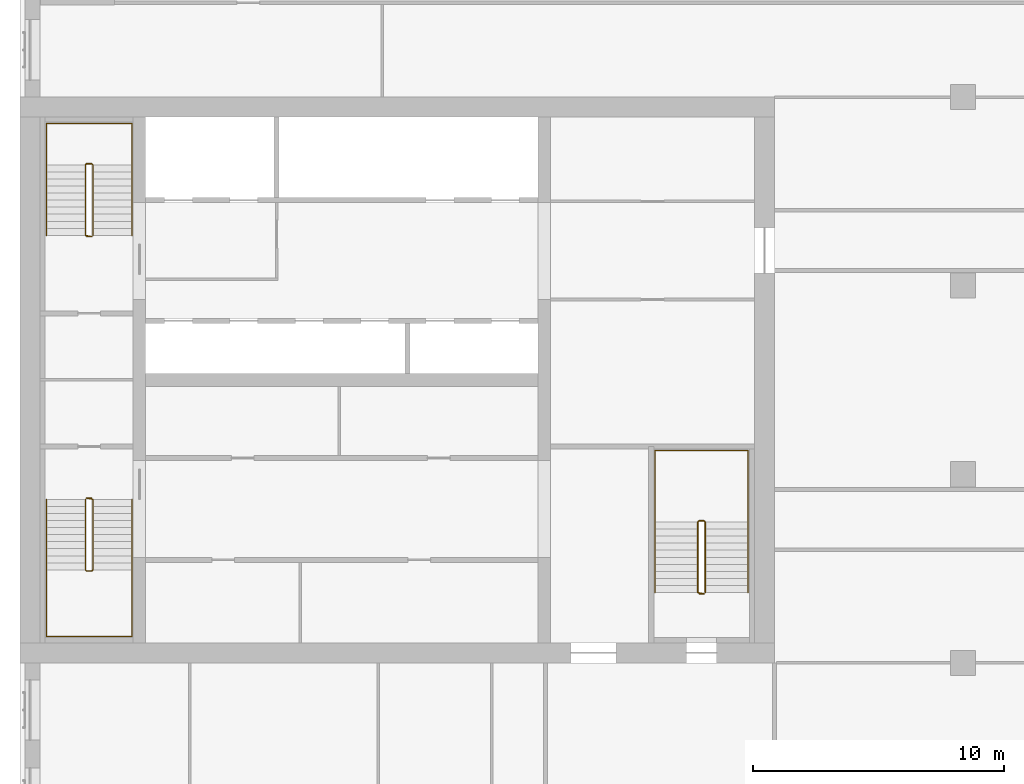
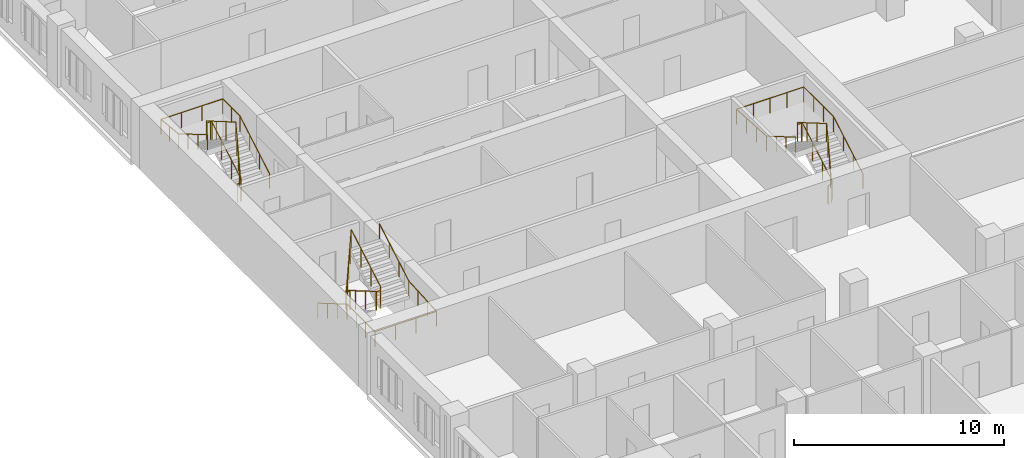
# One storey, part 14 of 14: 6 railings.
"""IFC4 building model written with IfcOpenShell, lengths in metres."""

import ifcopenshell
import ifcopenshell.guid

model = None  # the IFC model being written
_history = None  # IfcOwnerHistory: only IFC2X3 demands one
_inside = {}  # id of a spatial element -> (the spatial element, [elements in it])
_under = {}  # id of a project, library or spatial element -> (it, [spatial elements below it])
_declared = {}  # id of a project -> (the project, [libraries it declares])
_typed = {}  # id of a type object -> (the type object, [elements of that type])
_made_of = {}  # id of a material, layer set ... -> (it, [elements and type objects made of it])


def new_model(schema):
    """Start an empty IFC model of exactly this schema.

    Asked for "IFC4X3", IfcOpenShell would pick the latest addendum, in which some entities
    have other attributes; the version numbers below select the first issue.
    IFC2X3 requires an IfcOwnerHistory on every rooted entity: one is made here for all.
    """
    global model, _history
    if schema == "IFC4X3":
        model = ifcopenshell.file(schema_version=(4, 3, 0, 0))
    else:
        model = ifcopenshell.file(schema=schema)
    _inside.clear()
    _under.clear()
    _declared.clear()
    _typed.clear()
    _made_of.clear()
    _history = None
    if model.schema == "IFC2X3":
        org = make("IfcOrganization", Name="unknown")
        user = make(
            "IfcPersonAndOrganization",
            ThePerson=make("IfcPerson", FamilyName="unknown"),
            TheOrganization=org,
        )
        app = make(
            "IfcApplication",
            ApplicationDeveloper=org,
            Version="unknown",
            ApplicationFullName="unknown",
            ApplicationIdentifier="unknown",
        )
        _history = make(
            "IfcOwnerHistory",
            OwningUser=user,
            OwningApplication=app,
            ChangeAction="ADDED",
            CreationDate=0,
        )
    return model


def make(cls, **values):
    """One entity of the class cls with the attributes given. An attribute that is None is left unset."""
    return model.create_entity(
        cls, **{name: value for name, value in values.items() if value is not None}
    )


def rooted(cls, **values):
    """An entity with a GlobalId (a new one), such as an element, a storey or a relation."""
    return make(cls, GlobalId=ifcopenshell.guid.new(), OwnerHistory=_history, **values)


def si_unit(unit_type, name, prefix=None):
    """IfcSIUnit, for example si_unit("LENGTHUNIT", "METRE", prefix="MILLI")."""
    return make("IfcSIUnit", UnitType=unit_type, Prefix=prefix, Name=name)


def assignment(units):
    """IfcUnitAssignment: the units of a project."""
    return None if units is None else make("IfcUnitAssignment", Units=units)


def point(xyz):
    """IfcCartesianPoint."""
    return None if xyz is None else make("IfcCartesianPoint", Coordinates=xyz)


def direction(xyz):
    """IfcDirection."""
    return None if xyz is None else make("IfcDirection", DirectionRatios=xyz)


def frame(location, z_axis=None, x_axis=None):
    """IfcAxis2Placement3D, a coordinate frame: its origin and axes. An axis left out is left unset."""
    return make(
        "IfcAxis2Placement3D",
        Location=point(location),
        Axis=direction(z_axis),
        RefDirection=direction(x_axis),
    )


def frame_2d(location, x_axis=None):
    """IfcAxis2Placement2D, a coordinate frame in the plane: its origin and x axis."""
    return make(
        "IfcAxis2Placement2D", Location=point(location), RefDirection=direction(x_axis)
    )


def origin():
    """The frame at (0, 0, 0) with its axes left unset."""
    return frame((0.0, 0.0, 0.0))


def origin_2d():
    """The frame at (0, 0) in the plane with its x axis left unset."""
    return frame_2d((0.0, 0.0))


def place(relative_to, where):
    """IfcLocalPlacement: puts the frame where relative to a parent placement (None: the world)."""
    return make(
        "IfcLocalPlacement", PlacementRelTo=relative_to, RelativePlacement=where
    )


def context(
    kind, dimensions, precision=None, world=None, true_north=None, identifier=None
):
    """IfcGeometricRepresentationContext, for example the 3D "Model" context."""
    return make(
        "IfcGeometricRepresentationContext",
        ContextIdentifier=identifier,
        ContextType=kind,
        CoordinateSpaceDimension=dimensions,
        Precision=precision,
        WorldCoordinateSystem=world,
        TrueNorth=true_north,
    )


def subcontext(parent, identifier, kind, view, scale=None):
    """IfcGeometricRepresentationSubContext, for example "Body" below "Model"."""
    return make(
        "IfcGeometricRepresentationSubContext",
        ContextIdentifier=identifier,
        ContextType=kind,
        ParentContext=parent,
        TargetScale=scale,
        TargetView=view,
    )


def project(units=None, contexts=None):
    """IfcProject with its units and contexts."""
    return rooted(
        "IfcProject",
        Name="project",
        RepresentationContexts=contexts,
        UnitsInContext=assignment(units),
    )


def spatial(cls, under=None, at=None, **own):
    """A site, building, storey or space (cls), placed at a placement, below another one or the project."""
    s = rooted(cls, ObjectPlacement=at, **own)
    if under is not None:
        _under.setdefault(under.id(), (under, []))[1].append(s)
    return s


def profile(cls, at=None, kind="AREA", **sizes):
    """A parametric profile (cls). Its sizes go by their IFC names, for example OverallWidth=200.0."""
    return make(cls, ProfileType=kind, Position=at, **sizes)


def circle(**sizes):
    """IfcCircleProfileDef."""
    return profile("IfcCircleProfileDef", **sizes)


def extrude(swept, where, along, depth):
    """IfcExtrudedAreaSolid: the profile swept, set in the frame where, extruded along a direction by depth."""
    return make(
        "IfcExtrudedAreaSolid",
        SweptArea=swept,
        Position=where,
        ExtrudedDirection=direction(along),
        Depth=depth,
    )


def shape(context_of_items, identifier, shape_type, items):
    """IfcShapeRepresentation: the items that make up one representation, for example the "Body"."""
    return make(
        "IfcShapeRepresentation",
        ContextOfItems=context_of_items,
        RepresentationIdentifier=identifier,
        RepresentationType=shape_type,
        Items=items,
    )


def material(Name=None, Category=None):
    """IfcMaterial."""
    return make("IfcMaterial", Name=Name, Category=Category)


def made_of(thing, what):
    """Note that an element or type object is made of a material, layer set ...; save() writes the relation."""
    if what is not None:
        _made_of.setdefault(what.id(), (what, []))[1].append(thing)
    return thing


def type_object(cls, material=None, **own):
    """A type object (cls), such as IfcWallType, which elements share."""
    return made_of(rooted(cls, **own), material)


def element(
    cls,
    number,
    at=None,
    inside=None,
    cuts=None,
    type_object=None,
    material=None,
    context=None,
    identifier="Body",
    shape_type=None,
    held_by="IfcProductDefinitionShape",
    body=None,
    shapes=None,
    **own,
):
    """One element of the class cls, such as IfcWall. Its Tag is "e" and its number.

    at: its placement. inside: the storey or other place that contains it. cuts: it is an
    opening in that element (IfcRelVoidsElement). A single representation is given by context,
    identifier, shape_type and body (its items); several are given by shapes. held_by: the class
    of the entity that holds the representations. save() writes the other relations.
    """
    e = rooted(cls, Tag="e%d" % number, ObjectPlacement=at, **own)
    if body is not None:
        shapes = [shape(context, identifier, shape_type, body)]
    if shapes is not None:
        e.Representation = make(held_by, Representations=shapes)
    if inside is not None:
        _inside.setdefault(inside.id(), (inside, []))[1].append(e)
    if cuts is not None:
        rooted(
            "IfcRelVoidsElement", RelatingBuildingElement=cuts, RelatedOpeningElement=e
        )
    if type_object is not None:
        _typed.setdefault(type_object.id(), (type_object, []))[1].append(e)
    return made_of(e, material)


def aggregate(whole, parts):
    """IfcRelAggregates: a whole, such as a stair, and the parts it consists of."""
    return rooted("IfcRelAggregates", RelatingObject=whole, RelatedObjects=parts)


def save(model, path):
    """Write the relations noted so far, then the file.

    IfcRelAggregates (storeys below a building ...), IfcRelContainedInSpatialStructure (elements
    in a storey), IfcRelDefinesByType, IfcRelAssociatesMaterial and IfcRelDeclares: one each for
    every whole, place, type object, material and project.
    """
    for whole, parts in _under.values():
        aggregate(whole, parts)
    for where, things in _inside.values():
        rooted(
            "IfcRelContainedInSpatialStructure",
            RelatedElements=things,
            RelatingStructure=where,
        )
    for kind, things in _typed.values():
        rooted("IfcRelDefinesByType", RelatedObjects=things, RelatingType=kind)
    for what, things in _made_of.values():
        rooted("IfcRelAssociatesMaterial", RelatedObjects=things, RelatingMaterial=what)
    for by, libraries in _declared.values():
        rooted("IfcRelDeclares", RelatingContext=by, RelatedDefinitions=libraries)
    model.write(path)


model = new_model("IFC4")

# Units and contexts
model_context = context("Model", 3, precision=1e-05, world=origin(), true_north=direction((0.0, 1.0)))
body_context = subcontext(model_context, "Body", "Model", "MODEL_VIEW")
ifc_project = project(units=[si_unit("LENGTHUNIT", "METRE"), si_unit("AREAUNIT", "SQUARE_METRE"), si_unit("VOLUMEUNIT", "CUBIC_METRE"), si_unit("PLANEANGLEUNIT", "RADIAN"), si_unit("MASSUNIT", "GRAM", prefix="KILO")], contexts=[model_context])

# Site, building, storey
site_placement = place(None, origin())
site = spatial("IfcSite", under=ifc_project, at=site_placement, CompositionType="ELEMENT")
building_placement = place(site_placement, origin())
building = spatial("IfcBuilding", under=site, at=building_placement, Name="Tamorin Gate", CompositionType="ELEMENT")
storey_placement = place(building_placement, frame((0.0, 0.0, 151.800048828125)))
storey = spatial("IfcBuildingStorey", under=building, at=storey_placement, Name="L37", CompositionType="ELEMENT", Elevation=151.800048828125)

# Railings
ifc_material_1 = material(Name="Painted steel balustrade", Category="steel")
railing_type_1 = type_object("IfcRailingType", Name="Stair guard 1100", PredefinedType="GUARDRAIL", material=ifc_material_1)
railing_1_placement = place(storey_placement, frame((32.60009765625, 66.5, 0.16357421875)))
element("IfcRailing", 1, at=railing_1_placement, inside=storey, type_object=railing_type_1, Name="L37 ST1 stair guard 1", PredefinedType="GUARDRAIL", context=body_context, shape_type="SweptSolid", body=[
    extrude(circle(Radius=0.02392578125, at=origin_2d()), frame((0.0, 0.0, 1.076171875), z_axis=(0.0, -0.863360870873, 0.504586966384), x_axis=(1.0, 0.0, 0.0)), (0.0, 0.0, 1.0), 3.2431640625),
    extrude(circle(Radius=0.02392578125, at=origin_2d()), frame((0.0, -2.800048828125, 2.71240234375), z_axis=(0.705375805398, -0.708833529934, 0.0), x_axis=(0.708833529934, 0.705375805398, 0.0)), (0.0, 0.0, 1.0), 0.070556640625),
    extrude(circle(Radius=0.02392578125, at=origin_2d()), frame((0.0498046875, -2.85009765625, 2.71240234375), z_axis=(1.0, 0.0, 0.0), x_axis=(0.0, 1.0, 0.0)), (0.0, 0.0, 1.0), 0.2001953125),
    extrude(circle(Radius=0.02392578125, at=origin_2d()), frame((0.25, -2.85009765625, 2.71240234375), z_axis=(0.279546231943, 0.280916556609, 0.91811752648), x_axis=(-0.708833529934, 0.705375805398, 0.0)), (0.0, 0.0, 1.0), 0.17822265625),
    extrude(circle(Radius=0.02392578125, at=origin_2d()), frame((0.2998046875, -2.800048828125, 2.8759765625), z_axis=(0.0, 0.863393664356, 0.504530851732), x_axis=(-1.0, 0.0, 0.0)), (0.0, 0.0, 1.0), 3.2431640625),
    extrude(circle(Radius=0.02392578125, at=origin_2d()), frame((0.2998046875, 0.0, 4.51220703125), z_axis=(-0.069273741535, 0.013868278335, -0.997501288014), x_axis=(-0.196300278283, -0.98054382908, 0.0)), (0.0, 0.0, 1.0), 3.60888671875),
    extrude(circle(Radius=0.02392578125, at=origin_2d()), frame((0.0498046875, 0.050048828125, 0.91259765625), z_axis=(1.0, 0.0, 0.0), x_axis=(0.0, 1.0, 0.0)), (0.0, 0.0, 1.0), 0.2001953125),
    extrude(circle(Radius=0.02099609375, at=origin_2d()), origin(), (0.0, 0.0, 1.0), 1.052001953125),
    extrude(circle(Radius=0.02099609375, at=origin_2d()), frame((0.0, -0.933349609375, 0.54541015625)), (0.0, 0.0, 1.0), 1.052001953125),
    extrude(circle(Radius=0.02099609375, at=origin_2d()), frame((0.0, -1.86669921875, 1.091064453125)), (0.0, 0.0, 1.0), 1.052001953125),
    extrude(circle(Radius=0.02099609375, at=origin_2d()), frame((0.0, -2.800048828125, 1.636474609375)), (0.0, 0.0, 1.0), 1.052001953125),
    extrude(circle(Radius=0.02099609375, at=origin_2d()), frame((0.0498046875, -2.85009765625, 1.636474609375)), (0.0, 0.0, 1.0), 1.052001953125),
    extrude(circle(Radius=0.02099609375, at=origin_2d()), frame((0.25, -2.85009765625, 1.636474609375)), (0.0, 0.0, 1.0), 1.052001953125),
    extrude(circle(Radius=0.02099609375, at=origin_2d()), frame((0.2998046875, -2.800048828125, 1.800048828125)), (0.0, 0.0, 1.0), 1.052001953125),
    extrude(circle(Radius=0.02099609375, at=origin_2d()), frame((0.2998046875, -1.86669921875, 2.345458984375)), (0.0, 0.0, 1.0), 1.052001953125),
    extrude(circle(Radius=0.02099609375, at=origin_2d()), frame((0.2998046875, -0.933349609375, 2.890869140625)), (0.0, 0.0, 1.0), 1.052001953125),
    extrude(circle(Radius=0.02099609375, at=origin_2d()), frame((0.2998046875, 0.0, 3.436279296875)), (0.0, 0.0, 1.0), 1.052001953125),
    extrude(circle(Radius=0.02099609375, at=origin_2d()), frame((0.2373046875, 0.012451171875, 2.536376953125)), (0.0, 0.0, 1.0), 1.052001953125),
    extrude(circle(Radius=0.02099609375, at=origin_2d()), frame((0.1748046875, 0.02490234375, 1.63623046875)), (0.0, 0.0, 1.0), 1.052001953125),
    extrude(circle(Radius=0.02099609375, at=origin_2d()), frame((0.1123046875, 0.03759765625, 0.736328125)), (0.0, 0.0, 1.0), 1.052001953125),
    extrude(circle(Radius=0.02099609375, at=origin_2d()), frame((0.0498046875, 0.050048828125, -0.16357421875)), (0.0, 0.0, 1.0), 1.052001953125),
    extrude(circle(Radius=0.02099609375, at=origin_2d()), frame((0.25, 0.050048828125, -0.16357421875)), (0.0, 0.0, 1.0), 1.052001953125),
])
railing_2_placement = place(storey_placement, frame((32.89990234375, 77.0, 0.16357421875)))
element("IfcRailing", 2, at=railing_2_placement, inside=storey, type_object=railing_type_1, Name="L37 ST2 stair guard 1", PredefinedType="GUARDRAIL", context=body_context, shape_type="SweptSolid", body=[
    extrude(circle(Radius=0.02392578125, at=origin_2d()), frame((0.0, 0.0, 1.076171875), z_axis=(0.0, 0.863360870873, 0.504586966384), x_axis=(-1.0, 0.0, 0.0)), (0.0, 0.0, 1.0), 3.2431640625),
    extrude(circle(Radius=0.02392578125, at=origin_2d()), frame((0.0, 2.800048828125, 2.71240234375), z_axis=(-0.705375805398, 0.708833529934, 0.0), x_axis=(-0.708833529934, -0.705375805398, 0.0)), (0.0, 0.0, 1.0), 0.070556640625),
    extrude(circle(Radius=0.02392578125, at=origin_2d()), frame((-0.0498046875, 2.85009765625, 2.71240234375), z_axis=(-1.0, 0.0, 0.0), x_axis=(0.0, -1.0, 0.0)), (0.0, 0.0, 1.0), 0.2001953125),
    extrude(circle(Radius=0.02392578125, at=origin_2d()), frame((-0.25, 2.85009765625, 2.71240234375), z_axis=(-0.279546231943, -0.280916556609, 0.91811752648), x_axis=(0.708833529934, -0.705375805398, 0.0)), (0.0, 0.0, 1.0), 0.17822265625),
    extrude(circle(Radius=0.02392578125, at=origin_2d()), frame((-0.2998046875, 2.800048828125, 2.8759765625), z_axis=(0.0, -0.863393664356, 0.504530851732), x_axis=(1.0, 0.0, 0.0)), (0.0, 0.0, 1.0), 3.2431640625),
    extrude(circle(Radius=0.02392578125, at=origin_2d()), frame((-0.2998046875, 0.0, 4.51220703125), z_axis=(0.069273741535, -0.013868278335, -0.997501288014), x_axis=(0.196300278283, 0.98054382908, 0.0)), (0.0, 0.0, 1.0), 3.60888671875),
    extrude(circle(Radius=0.02392578125, at=origin_2d()), frame((-0.0498046875, -0.050048828125, 0.91259765625), z_axis=(-1.0, 0.0, 0.0), x_axis=(0.0, -1.0, 0.0)), (0.0, 0.0, 1.0), 0.2001953125),
    extrude(circle(Radius=0.02099609375, at=origin_2d()), origin(), (0.0, 0.0, 1.0), 1.052001953125),
    extrude(circle(Radius=0.02099609375, at=origin_2d()), frame((0.0, 0.933349609375, 0.54541015625)), (0.0, 0.0, 1.0), 1.052001953125),
    extrude(circle(Radius=0.02099609375, at=origin_2d()), frame((0.0, 1.86669921875, 1.091064453125)), (0.0, 0.0, 1.0), 1.052001953125),
    extrude(circle(Radius=0.02099609375, at=origin_2d()), frame((0.0, 2.800048828125, 1.636474609375)), (0.0, 0.0, 1.0), 1.052001953125),
    extrude(circle(Radius=0.02099609375, at=origin_2d()), frame((-0.0498046875, 2.85009765625, 1.636474609375)), (0.0, 0.0, 1.0), 1.052001953125),
    extrude(circle(Radius=0.02099609375, at=origin_2d()), frame((-0.25, 2.85009765625, 1.636474609375)), (0.0, 0.0, 1.0), 1.052001953125),
    extrude(circle(Radius=0.02099609375, at=origin_2d()), frame((-0.2998046875, 2.800048828125, 1.800048828125)), (0.0, 0.0, 1.0), 1.052001953125),
    extrude(circle(Radius=0.02099609375, at=origin_2d()), frame((-0.2998046875, 1.86669921875, 2.345458984375)), (0.0, 0.0, 1.0), 1.052001953125),
    extrude(circle(Radius=0.02099609375, at=origin_2d()), frame((-0.2998046875, 0.933349609375, 2.890869140625)), (0.0, 0.0, 1.0), 1.052001953125),
    extrude(circle(Radius=0.02099609375, at=origin_2d()), frame((-0.2998046875, 0.0, 3.436279296875)), (0.0, 0.0, 1.0), 1.052001953125),
    extrude(circle(Radius=0.02099609375, at=origin_2d()), frame((-0.2373046875, -0.012451171875, 2.536376953125)), (0.0, 0.0, 1.0), 1.052001953125),
    extrude(circle(Radius=0.02099609375, at=origin_2d()), frame((-0.1748046875, -0.02490234375, 1.63623046875)), (0.0, 0.0, 1.0), 1.052001953125),
    extrude(circle(Radius=0.02099609375, at=origin_2d()), frame((-0.1123046875, -0.03759765625, 0.736328125)), (0.0, 0.0, 1.0), 1.052001953125),
    extrude(circle(Radius=0.02099609375, at=origin_2d()), frame((-0.0498046875, -0.050048828125, -0.16357421875)), (0.0, 0.0, 1.0), 1.052001953125),
    extrude(circle(Radius=0.02099609375, at=origin_2d()), frame((-0.25, -0.050048828125, -0.16357421875)), (0.0, 0.0, 1.0), 1.052001953125),
])
railing_3_placement = place(storey_placement, frame((57.25, 62.800048828125, 0.16357421875)))
element("IfcRailing", 3, at=railing_3_placement, inside=storey, type_object=railing_type_1, Name="L37 ST3 stair guard 1", PredefinedType="GUARDRAIL", context=body_context, shape_type="SweptSolid", body=[
    extrude(circle(Radius=0.02392578125, at=origin_2d()), frame((0.0, 0.0, 1.076171875), z_axis=(0.0, 0.863360870873, 0.504586966384), x_axis=(-1.0, 0.0, 0.0)), (0.0, 0.0, 1.0), 3.2431640625),
    extrude(circle(Radius=0.02392578125, at=origin_2d()), frame((0.0, 2.800048828125, 2.71240234375), z_axis=(-0.708833529934, 0.705375805398, 0.0), x_axis=(-0.705375805398, -0.708833529934, 0.0)), (0.0, 0.0, 1.0), 0.070556640625),
    extrude(circle(Radius=0.02392578125, at=origin_2d()), frame((-0.050048828125, 2.849853515625, 2.71240234375), z_axis=(-1.0, 0.0, 0.0), x_axis=(0.0, -1.0, 0.0)), (0.0, 0.0, 1.0), 0.199951171875),
    extrude(circle(Radius=0.02392578125, at=origin_2d()), frame((-0.25, 2.849853515625, 2.71240234375), z_axis=(-0.280916556609, -0.279546231943, 0.91811752648), x_axis=(0.705375805398, -0.708833529934, 0.0)), (0.0, 0.0, 1.0), 0.17822265625),
    extrude(circle(Radius=0.02392578125, at=origin_2d()), frame((-0.300048828125, 2.800048828125, 2.8759765625), z_axis=(0.0, -0.863393664356, 0.504530851732), x_axis=(1.0, 0.0, 0.0)), (0.0, 0.0, 1.0), 3.2431640625),
    extrude(circle(Radius=0.02392578125, at=origin_2d()), frame((-0.300048828125, 0.0, 4.51220703125), z_axis=(0.069273741535, -0.013868278335, -0.997501288014), x_axis=(0.196300278283, 0.98054382908, 0.0)), (0.0, 0.0, 1.0), 3.60888671875),
    extrude(circle(Radius=0.02392578125, at=origin_2d()), frame((-0.050048828125, -0.050048828125, 0.91259765625), z_axis=(-1.0, 0.0, 0.0), x_axis=(0.0, -1.0, 0.0)), (0.0, 0.0, 1.0), 0.199951171875),
    extrude(circle(Radius=0.02099609375, at=origin_2d()), origin(), (0.0, 0.0, 1.0), 1.052001953125),
    extrude(circle(Radius=0.02099609375, at=origin_2d()), frame((0.0, 0.933349609375, 0.54541015625)), (0.0, 0.0, 1.0), 1.052001953125),
    extrude(circle(Radius=0.02099609375, at=origin_2d()), frame((0.0, 1.86669921875, 1.091064453125)), (0.0, 0.0, 1.0), 1.052001953125),
    extrude(circle(Radius=0.02099609375, at=origin_2d()), frame((0.0, 2.800048828125, 1.636474609375)), (0.0, 0.0, 1.0), 1.052001953125),
    extrude(circle(Radius=0.02099609375, at=origin_2d()), frame((-0.050048828125, 2.849853515625, 1.636474609375)), (0.0, 0.0, 1.0), 1.052001953125),
    extrude(circle(Radius=0.02099609375, at=origin_2d()), frame((-0.25, 2.849853515625, 1.636474609375)), (0.0, 0.0, 1.0), 1.052001953125),
    extrude(circle(Radius=0.02099609375, at=origin_2d()), frame((-0.300048828125, 2.800048828125, 1.800048828125)), (0.0, 0.0, 1.0), 1.052001953125),
    extrude(circle(Radius=0.02099609375, at=origin_2d()), frame((-0.300048828125, 1.86669921875, 2.345458984375)), (0.0, 0.0, 1.0), 1.052001953125),
    extrude(circle(Radius=0.02099609375, at=origin_2d()), frame((-0.300048828125, 0.933349609375, 2.890869140625)), (0.0, 0.0, 1.0), 1.052001953125),
    extrude(circle(Radius=0.02099609375, at=origin_2d()), frame((-0.300048828125, 0.0, 3.436279296875)), (0.0, 0.0, 1.0), 1.052001953125),
    extrude(circle(Radius=0.02099609375, at=origin_2d()), frame((-0.237548828125, -0.012451171875, 2.536376953125)), (0.0, 0.0, 1.0), 1.052001953125),
    extrude(circle(Radius=0.02099609375, at=origin_2d()), frame((-0.175048828125, -0.02490234375, 1.63623046875)), (0.0, 0.0, 1.0), 1.052001953125),
    extrude(circle(Radius=0.02099609375, at=origin_2d()), frame((-0.112548828125, -0.03759765625, 0.736328125)), (0.0, 0.0, 1.0), 1.052001953125),
    extrude(circle(Radius=0.02099609375, at=origin_2d()), frame((-0.050048828125, -0.050048828125, -0.16357421875)), (0.0, 0.0, 1.0), 1.052001953125),
    extrude(circle(Radius=0.02099609375, at=origin_2d()), frame((-0.25, -0.050048828125, -0.16357421875)), (0.0, 0.0, 1.0), 1.052001953125),
])
ifc_material_2 = material(Name="Painted steel handrail", Category="steel")
railing_type_2 = type_object("IfcRailingType", Name="Stair handrail 900", PredefinedType="HANDRAIL", material=ifc_material_2)
railing_4_placement = place(storey_placement, frame((31.050048828125, 66.5, 0.16357421875)))
element("IfcRailing", 4, at=railing_4_placement, inside=storey, type_object=railing_type_2, Name="L37 ST1 stair handrail 1", PredefinedType="HANDRAIL", context=body_context, shape_type="SweptSolid", body=[
    extrude(circle(Radius=0.02392578125, at=origin_2d()), frame((0.0, 0.0, 0.8759765625), z_axis=(0.0, -0.863360870873, 0.504586966384), x_axis=(1.0, 0.0, 0.0)), (0.0, 0.0, 1.0), 3.2431640625),
    extrude(circle(Radius=0.02392578125, at=origin_2d()), frame((0.0, -2.800048828125, 2.51220703125), z_axis=(0.0, -1.0, 0.0), x_axis=(1.0, 0.0, 0.0)), (0.0, 0.0, 1.0), 2.64990234375),
    extrude(circle(Radius=0.02392578125, at=origin_2d()), frame((0.0, -5.449951171875, 2.51220703125), z_axis=(1.0, 0.0, 0.0), x_axis=(0.0, 1.0, 0.0)), (0.0, 0.0, 1.0), 3.39990234375),
    extrude(circle(Radius=0.02392578125, at=origin_2d()), frame((3.39990234375, -5.449951171875, 2.51220703125), z_axis=(0.0, 0.998100230056, 0.061611125312), x_axis=(-1.0, 0.0, 0.0)), (0.0, 0.0, 1.0), 2.655029296875),
    extrude(circle(Radius=0.02392578125, at=origin_2d()), frame((3.39990234375, -2.800048828125, 2.67578125), z_axis=(0.0, 0.863393664356, 0.504530851732), x_axis=(-1.0, 0.0, 0.0)), (0.0, 0.0, 1.0), 3.2431640625),
    extrude(circle(Radius=0.02099609375, at=origin_2d()), origin(), (0.0, 0.0, 1.0), 0.851806640625),
    extrude(circle(Radius=0.02099609375, at=origin_2d()), frame((0.0, -0.933349609375, 0.54541015625)), (0.0, 0.0, 1.0), 0.851806640625),
    extrude(circle(Radius=0.02099609375, at=origin_2d()), frame((0.0, -1.86669921875, 1.091064453125)), (0.0, 0.0, 1.0), 0.851806640625),
    extrude(circle(Radius=0.02099609375, at=origin_2d()), frame((0.0, -2.800048828125, 1.636474609375)), (0.0, 0.0, 1.0), 0.851806640625),
    extrude(circle(Radius=0.02099609375, at=origin_2d()), frame((0.0, -3.683349609375, 1.636474609375)), (0.0, 0.0, 1.0), 0.851806640625),
    extrude(circle(Radius=0.02099609375, at=origin_2d()), frame((0.0, -4.566650390625, 1.636474609375)), (0.0, 0.0, 1.0), 0.851806640625),
    extrude(circle(Radius=0.02099609375, at=origin_2d()), frame((0.0, -5.449951171875, 1.636474609375)), (0.0, 0.0, 1.0), 0.851806640625),
    extrude(circle(Radius=0.02099609375, at=origin_2d()), frame((1.13330078125, -5.449951171875, 1.636474609375)), (0.0, 0.0, 1.0), 0.851806640625),
    extrude(circle(Radius=0.02099609375, at=origin_2d()), frame((2.2666015625, -5.449951171875, 1.636474609375)), (0.0, 0.0, 1.0), 0.851806640625),
    extrude(circle(Radius=0.02099609375, at=origin_2d()), frame((3.39990234375, -5.449951171875, 1.636474609375)), (0.0, 0.0, 1.0), 0.851806640625),
    extrude(circle(Radius=0.02099609375, at=origin_2d()), frame((3.39990234375, -4.566650390625, 1.69091796875)), (0.0, 0.0, 1.0), 0.851806640625),
    extrude(circle(Radius=0.02099609375, at=origin_2d()), frame((3.39990234375, -3.683349609375, 1.74560546875)), (0.0, 0.0, 1.0), 0.851806640625),
    extrude(circle(Radius=0.02099609375, at=origin_2d()), frame((3.39990234375, -2.800048828125, 1.800048828125)), (0.0, 0.0, 1.0), 0.851806640625),
    extrude(circle(Radius=0.02099609375, at=origin_2d()), frame((3.39990234375, -1.86669921875, 2.345458984375)), (0.0, 0.0, 1.0), 0.851806640625),
    extrude(circle(Radius=0.02099609375, at=origin_2d()), frame((3.39990234375, -0.933349609375, 2.890869140625)), (0.0, 0.0, 1.0), 0.851806640625),
    extrude(circle(Radius=0.02099609375, at=origin_2d()), frame((3.39990234375, 0.0, 3.436279296875)), (0.0, 0.0, 1.0), 0.851806640625),
])
railing_5_placement = place(storey_placement, frame((34.449951171875, 77.0, 0.16357421875)))
element("IfcRailing", 5, at=railing_5_placement, inside=storey, type_object=railing_type_2, Name="L37 ST2 stair handrail 1", PredefinedType="HANDRAIL", context=body_context, shape_type="SweptSolid", body=[
    extrude(circle(Radius=0.02392578125, at=origin_2d()), frame((0.0, 0.0, 0.8759765625), z_axis=(0.0, 0.863360870873, 0.504586966384), x_axis=(-1.0, 0.0, 0.0)), (0.0, 0.0, 1.0), 3.2431640625),
    extrude(circle(Radius=0.02392578125, at=origin_2d()), frame((0.0, 2.800048828125, 2.51220703125), z_axis=(0.0, 1.0, 0.0), x_axis=(-1.0, 0.0, 0.0)), (0.0, 0.0, 1.0), 1.64990234375),
    extrude(circle(Radius=0.02392578125, at=origin_2d()), frame((0.0, 4.449951171875, 2.51220703125), z_axis=(-1.0, 0.0, 0.0), x_axis=(0.0, -1.0, 0.0)), (0.0, 0.0, 1.0), 3.39990234375),
    extrude(circle(Radius=0.02392578125, at=origin_2d()), frame((-3.39990234375, 4.449951171875, 2.51220703125), z_axis=(0.0, -0.995121390814, 0.098658084026), x_axis=(1.0, 0.0, 0.0)), (0.0, 0.0, 1.0), 1.657958984375),
    extrude(circle(Radius=0.02392578125, at=origin_2d()), frame((-3.39990234375, 2.800048828125, 2.67578125), z_axis=(0.0, -0.863393664356, 0.504530851732), x_axis=(1.0, 0.0, 0.0)), (0.0, 0.0, 1.0), 3.2431640625),
    extrude(circle(Radius=0.02099609375, at=origin_2d()), origin(), (0.0, 0.0, 1.0), 0.851806640625),
    extrude(circle(Radius=0.02099609375, at=origin_2d()), frame((0.0, 0.933349609375, 0.54541015625)), (0.0, 0.0, 1.0), 0.851806640625),
    extrude(circle(Radius=0.02099609375, at=origin_2d()), frame((0.0, 1.86669921875, 1.091064453125)), (0.0, 0.0, 1.0), 0.851806640625),
    extrude(circle(Radius=0.02099609375, at=origin_2d()), frame((0.0, 2.800048828125, 1.636474609375)), (0.0, 0.0, 1.0), 0.851806640625),
    extrude(circle(Radius=0.02099609375, at=origin_2d()), frame((0.0, 3.625, 1.636474609375)), (0.0, 0.0, 1.0), 0.851806640625),
    extrude(circle(Radius=0.02099609375, at=origin_2d()), frame((0.0, 4.449951171875, 1.636474609375)), (0.0, 0.0, 1.0), 0.851806640625),
    extrude(circle(Radius=0.02099609375, at=origin_2d()), frame((-1.13330078125, 4.449951171875, 1.636474609375)), (0.0, 0.0, 1.0), 0.851806640625),
    extrude(circle(Radius=0.02099609375, at=origin_2d()), frame((-2.2666015625, 4.449951171875, 1.636474609375)), (0.0, 0.0, 1.0), 0.851806640625),
    extrude(circle(Radius=0.02099609375, at=origin_2d()), frame((-3.39990234375, 4.449951171875, 1.636474609375)), (0.0, 0.0, 1.0), 0.851806640625),
    extrude(circle(Radius=0.02099609375, at=origin_2d()), frame((-3.39990234375, 3.625, 1.71826171875)), (0.0, 0.0, 1.0), 0.851806640625),
    extrude(circle(Radius=0.02099609375, at=origin_2d()), frame((-3.39990234375, 2.800048828125, 1.800048828125)), (0.0, 0.0, 1.0), 0.851806640625),
    extrude(circle(Radius=0.02099609375, at=origin_2d()), frame((-3.39990234375, 1.86669921875, 2.345458984375)), (0.0, 0.0, 1.0), 0.851806640625),
    extrude(circle(Radius=0.02099609375, at=origin_2d()), frame((-3.39990234375, 0.933349609375, 2.890869140625)), (0.0, 0.0, 1.0), 0.851806640625),
    extrude(circle(Radius=0.02099609375, at=origin_2d()), frame((-3.39990234375, 0.0, 3.436279296875)), (0.0, 0.0, 1.0), 0.851806640625),
])
railing_6_placement = place(storey_placement, frame((58.949951171875, 62.800048828125, 0.16357421875)))
element("IfcRailing", 6, at=railing_6_placement, inside=storey, type_object=railing_type_2, Name="L37 ST3 stair handrail 1", PredefinedType="HANDRAIL", context=body_context, shape_type="SweptSolid", body=[
    extrude(circle(Radius=0.02392578125, at=origin_2d()), frame((0.0, 0.0, 0.8759765625), z_axis=(0.0, 0.863360870873, 0.504586966384), x_axis=(-1.0, 0.0, 0.0)), (0.0, 0.0, 1.0), 3.2431640625),
    extrude(circle(Radius=0.02392578125, at=origin_2d()), frame((0.0, 2.800048828125, 2.51220703125), z_axis=(0.0, 1.0, 0.0), x_axis=(-1.0, 0.0, 0.0)), (0.0, 0.0, 1.0), 2.849853515625),
    extrude(circle(Radius=0.02392578125, at=origin_2d()), frame((0.0, 5.64990234375, 2.51220703125), z_axis=(-1.0, 0.0, 0.0), x_axis=(0.0, -1.0, 0.0)), (0.0, 0.0, 1.0), 3.699951171875),
    extrude(circle(Radius=0.02392578125, at=origin_2d()), frame((-3.699951171875, 5.64990234375, 2.51220703125), z_axis=(0.0, -0.998356827416, 0.057303098978), x_axis=(1.0, 0.0, 0.0)), (0.0, 0.0, 1.0), 2.8544921875),
    extrude(circle(Radius=0.02392578125, at=origin_2d()), frame((-3.699951171875, 2.800048828125, 2.67578125), z_axis=(0.0, -0.863393664356, 0.504530851732), x_axis=(1.0, 0.0, 0.0)), (0.0, 0.0, 1.0), 3.2431640625),
    extrude(circle(Radius=0.02099609375, at=origin_2d()), origin(), (0.0, 0.0, 1.0), 0.851806640625),
    extrude(circle(Radius=0.02099609375, at=origin_2d()), frame((0.0, 0.933349609375, 0.54541015625)), (0.0, 0.0, 1.0), 0.851806640625),
    extrude(circle(Radius=0.02099609375, at=origin_2d()), frame((0.0, 1.86669921875, 1.091064453125)), (0.0, 0.0, 1.0), 0.851806640625),
    extrude(circle(Radius=0.02099609375, at=origin_2d()), frame((0.0, 2.800048828125, 1.636474609375)), (0.0, 0.0, 1.0), 0.851806640625),
    extrude(circle(Radius=0.02099609375, at=origin_2d()), frame((0.0, 3.75, 1.636474609375)), (0.0, 0.0, 1.0), 0.851806640625),
    extrude(circle(Radius=0.02099609375, at=origin_2d()), frame((0.0, 4.699951171875, 1.636474609375)), (0.0, 0.0, 1.0), 0.851806640625),
    extrude(circle(Radius=0.02099609375, at=origin_2d()), frame((0.0, 5.64990234375, 1.636474609375)), (0.0, 0.0, 1.0), 0.851806640625),
    extrude(circle(Radius=0.02099609375, at=origin_2d()), frame((-0.925048828125, 5.64990234375, 1.636474609375)), (0.0, 0.0, 1.0), 0.851806640625),
    extrude(circle(Radius=0.02099609375, at=origin_2d()), frame((-1.85009765625, 5.64990234375, 1.636474609375)), (0.0, 0.0, 1.0), 0.851806640625),
    extrude(circle(Radius=0.02099609375, at=origin_2d()), frame((-2.77490234375, 5.64990234375, 1.636474609375)), (0.0, 0.0, 1.0), 0.851806640625),
    extrude(circle(Radius=0.02099609375, at=origin_2d()), frame((-3.699951171875, 5.64990234375, 1.636474609375)), (0.0, 0.0, 1.0), 0.851806640625),
    extrude(circle(Radius=0.02099609375, at=origin_2d()), frame((-3.699951171875, 4.699951171875, 1.69091796875)), (0.0, 0.0, 1.0), 0.851806640625),
    extrude(circle(Radius=0.02099609375, at=origin_2d()), frame((-3.699951171875, 3.75, 1.74560546875)), (0.0, 0.0, 1.0), 0.851806640625),
    extrude(circle(Radius=0.02099609375, at=origin_2d()), frame((-3.699951171875, 2.800048828125, 1.800048828125)), (0.0, 0.0, 1.0), 0.851806640625),
    extrude(circle(Radius=0.02099609375, at=origin_2d()), frame((-3.699951171875, 1.86669921875, 2.345458984375)), (0.0, 0.0, 1.0), 0.851806640625),
    extrude(circle(Radius=0.02099609375, at=origin_2d()), frame((-3.699951171875, 0.933349609375, 2.890869140625)), (0.0, 0.0, 1.0), 0.851806640625),
    extrude(circle(Radius=0.02099609375, at=origin_2d()), frame((-3.699951171875, 0.0, 3.436279296875)), (0.0, 0.0, 1.0), 0.851806640625),
])

save(model, "model.ifc")
